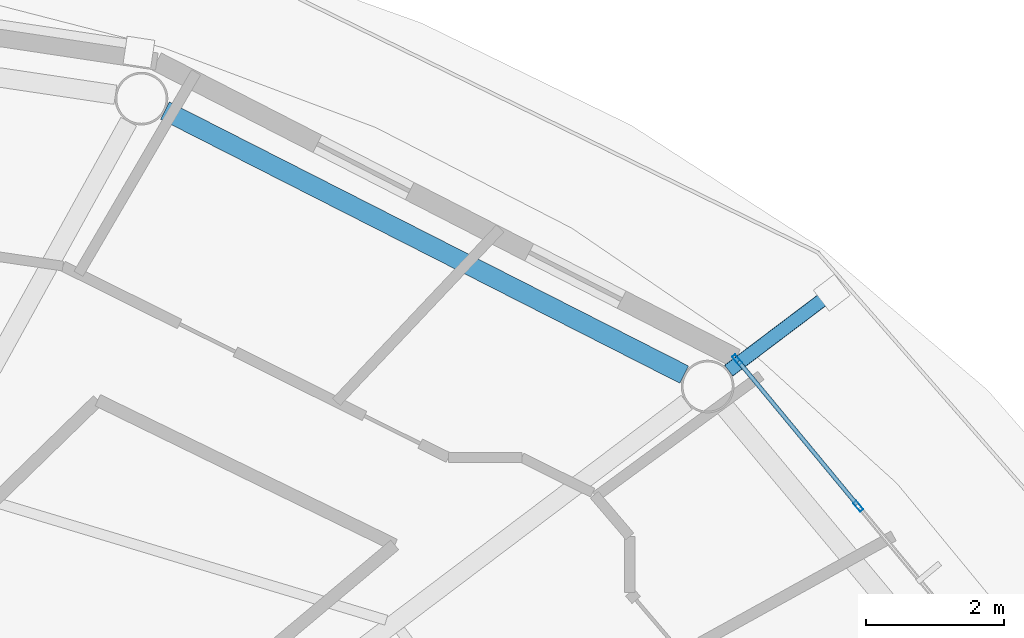
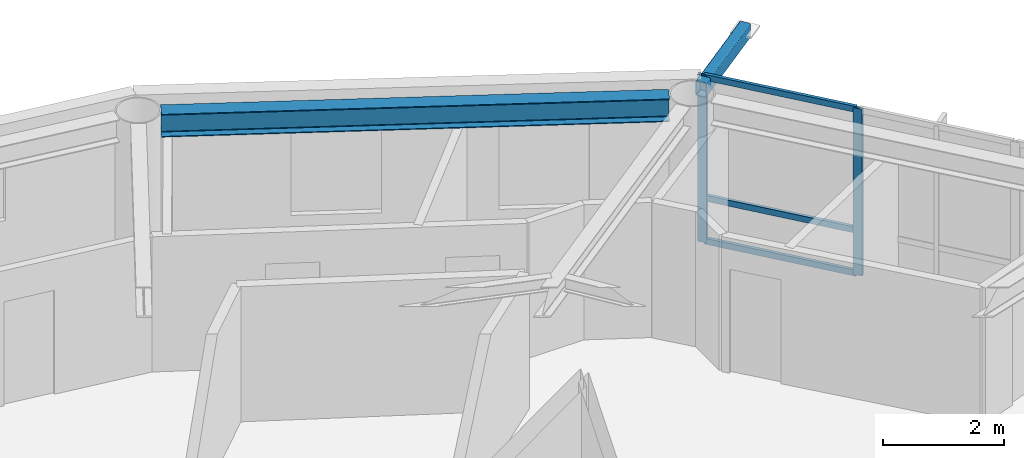
# One storey, part 11 of 23: 6 members, 1 beam, 1 element without a shape of its own.
"""IFC4 building model written with IfcOpenShell, lengths in metres."""

from ifc_helpers import new_model, si_unit, direction, frame, origin, origin_2d, place, context, subcontext, project, spatial, hollow_rectangle, i_section, extrude, material, layer, layer_set, material_profile, profile_set, type_object, element, aggregate, save


model = new_model("IFC4")

# Units and contexts
model_context = context("Model", 3, precision=1e-05, world=origin(), true_north=direction((0.0, 1.0)))
body_context = subcontext(model_context, "Body", "Model", "MODEL_VIEW")
ifc_project = project(units=[si_unit("LENGTHUNIT", "METRE"), si_unit("AREAUNIT", "SQUARE_METRE"), si_unit("VOLUMEUNIT", "CUBIC_METRE"), si_unit("PLANEANGLEUNIT", "RADIAN"), si_unit("MASSUNIT", "GRAM", prefix="KILO")], contexts=[model_context])

# Site, building, storey
site_placement = place(None, origin())
site = spatial("IfcSite", under=ifc_project, at=site_placement, CompositionType="ELEMENT")
building_placement = place(site_placement, origin())
building = spatial("IfcBuilding", under=site, at=building_placement, Name="Sarneth Arch Tower", CompositionType="ELEMENT")
storey_placement = place(building_placement, frame((0.0, 0.0, 280.199951171875)))
storey = spatial("IfcBuildingStorey", under=building, at=storey_placement, Name="L72", CompositionType="ELEMENT", Elevation=280.199951171875)

# Beam
ifc_material_1 = material(Name="Steel S355", Category="steel")
ifc_material_profile_1 = material_profile(ifc_material_1, i_section(OverallWidth=0.280029296875, OverallDepth=0.462890625, WebThickness=0.0107421875, FlangeThickness=0.017333984375, FilletRadius=0.01806640625, at=origin_2d()), Name="W460x113")
ifc_profile_set_1 = profile_set([ifc_material_profile_1], Name="Steel S355")
beam_type = type_object("IfcBeamType", Name="BM-RAD-460A", PredefinedType="BEAM", material=ifc_profile_set_1)
beam_placement = place(storey_placement, frame((65.635498046875, 55.749267578125, 3.138427734375), z_axis=(-0.891373613492, 0.453269325204, 0.0), x_axis=(-0.453269325204, -0.891373613492, 0.0)))
element("IfcBeam", 1, at=beam_placement, inside=storey, type_object=beam_type, Name="L72 Perimeter spandrel beam 03", PredefinedType="BEAM", context=body_context, shape_type="SweptSolid", body=[
    extrude(i_section(OverallWidth=0.280029296875, OverallDepth=0.462890625, WebThickness=0.0107421875, FlangeThickness=0.017333984375, FilletRadius=0.01806640625, at=origin_2d()), origin(), (0.0, 0.0, 1.0), 8.419677734375),
])

# Curtain wall, members
ifc_material_2 = material(Name="Anodised aluminium Type AA25 and solar-control low-e laminated IGU", Category="aluminium")
ifc_layer = layer(ifc_material_2, 0.179931640625)
ifc_layer_set = layer_set([ifc_layer], Name="Anodised aluminium Type AA25 and solar-control low-e laminated IGU")
curtain_wall_type = type_object("IfcCurtainWallType", Name="CW-RES-HIGH", PredefinedType="NOTDEFINED", material=ifc_layer_set)
curtain_wall_placement = place(storey_placement, origin())
curtain_wall = element("IfcCurtainWall", 2, at=curtain_wall_placement, inside=storey, type_object=curtain_wall_type, Name="L72 Unitised curtain wall facet 02", PredefinedType="NOTDEFINED")
ifc_material_3 = material(Name="Anodised Aluminium 6063-T6", Category="aluminium")
ifc_material_profile_2 = material_profile(ifc_material_3, hollow_rectangle(XDim=0.06005859375, YDim=0.159912109375, WallThickness=0.00390625, at=origin_2d()), Name="AL-MULL-160x60x4")
ifc_profile_set_2 = profile_set([ifc_material_profile_2], Name="Anodised Aluminium 6063-T6")
member_type_1 = type_object("IfcMemberType", Name="CW-MULLION", PredefinedType="MULLION", material=ifc_profile_set_2)
member_1_placement = place(storey_placement, frame((68.15283203125, 53.84765625, 0.0), z_axis=(0.0, 0.0, 1.0), x_axis=(-0.770359245933, -0.637610094184, 0.0)))
member_1 = element("IfcMember", 3, at=member_1_placement, type_object=member_type_1, Name="CW-SYS-6 mullion 3", PredefinedType="MULLION", context=body_context, shape_type="SweptSolid", body=[
    extrude(hollow_rectangle(XDim=0.06005859375, YDim=0.159912109375, WallThickness=0.00390625, at=origin_2d()), origin(), (0.0, 0.0, 1.0), 3.3701171875),
])
member_2_placement = place(storey_placement, frame((66.401611328125, 55.96337890625, 0.0), z_axis=(0.0, 0.0, 1.0), x_axis=(-0.770359245933, -0.637610094184, 0.0)))
member_2 = element("IfcMember", 4, at=member_2_placement, type_object=member_type_1, Name="CW-SYS-6 mullion 4", PredefinedType="MULLION", context=body_context, shape_type="SweptSolid", body=[
    extrude(hollow_rectangle(XDim=0.06005859375, YDim=0.159912109375, WallThickness=0.00390625, at=origin_2d()), origin(), (0.0, 0.0, 1.0), 3.3701171875),
])
ifc_material_4 = material(Name="Anodised Aluminium 6063-T6", Category="aluminium")
ifc_material_profile_3 = material_profile(ifc_material_4, hollow_rectangle(XDim=0.06005859375, YDim=0.1201171875, WallThickness=0.00390625, at=origin_2d()), Name="AL-TRAN-120x60x4")
ifc_profile_set_3 = profile_set([ifc_material_profile_3], Name="Anodised Aluminium 6063-T6")
member_type_2 = type_object("IfcMemberType", Name="CW-TRANSOM", PredefinedType="USERDEFINED", material=ifc_profile_set_3)
member_3_placement = place(storey_placement, frame((68.1337890625, 53.87060546875, 0.030029296875), z_axis=(-0.637606765719, 0.770362000821, 0.0), x_axis=(-0.770362000821, -0.637606765719, 0.0)))
member_3 = element("IfcMember", 5, at=member_3_placement, type_object=member_type_2, Name="CW-SYS-6 transom 3.1", ObjectType="TRANSOM", PredefinedType="USERDEFINED", context=body_context, shape_type="SweptSolid", body=[
    extrude(hollow_rectangle(XDim=0.06005859375, YDim=0.1201171875, WallThickness=0.00390625, at=origin_2d()), origin(), (0.0, 0.0, 1.0), 2.686767578125),
])
member_4_placement = place(storey_placement, frame((68.1337890625, 53.87060546875, 0.900146484375), z_axis=(-0.637606765719, 0.770362000821, 0.0), x_axis=(-0.770362000821, -0.637606765719, 0.0)))
member_4 = element("IfcMember", 6, at=member_4_placement, type_object=member_type_2, Name="CW-SYS-6 transom 3.2", ObjectType="TRANSOM", PredefinedType="USERDEFINED", context=body_context, shape_type="SweptSolid", body=[
    extrude(hollow_rectangle(XDim=0.06005859375, YDim=0.1201171875, WallThickness=0.00390625, at=origin_2d()), origin(), (0.0, 0.0, 1.0), 2.686767578125),
])
member_5_placement = place(storey_placement, frame((68.1337890625, 53.87060546875, 3.340087890625), z_axis=(-0.637606765719, 0.770362000821, 0.0), x_axis=(-0.770362000821, -0.637606765719, 0.0)))
member_5 = element("IfcMember", 7, at=member_5_placement, type_object=member_type_2, Name="CW-SYS-6 transom 3.3", ObjectType="TRANSOM", PredefinedType="USERDEFINED", context=body_context, shape_type="SweptSolid", body=[
    extrude(hollow_rectangle(XDim=0.06005859375, YDim=0.1201171875, WallThickness=0.00390625, at=origin_2d()), origin(), (0.0, 0.0, 1.0), 2.686767578125),
])
aggregate(curtain_wall, [member_1, member_2, member_3, member_4, member_5])

# Member
ifc_material_5 = material(Name="Steel S355", Category="steel")
ifc_material_profile_4 = material_profile(ifc_material_5, hollow_rectangle(XDim=0.199951171875, YDim=0.300048828125, WallThickness=0.012451171875, InnerFilletRadius=0.018798828125, OuterFilletRadius=0.03125, at=origin_2d()), Name="RHS300x200x12.5")
ifc_profile_set_4 = profile_set([ifc_material_profile_4], Name="Steel S355")
member_type_3 = type_object("IfcMemberType", Name="MEM-CANT-STRUT", PredefinedType="STRUT", material=ifc_profile_set_4)
member_6_placement = place(storey_placement, frame((66.279296875, 55.80615234375, 3.2099609375), z_axis=(0.797956711081, 0.602714764413, 0.0), x_axis=(-0.602714764413, 0.797956711081, 0.0)))
element("IfcMember", 8, at=member_6_placement, inside=storey, type_object=member_type_3, Name="L72 Balcony cantilever bracket 03", PredefinedType="STRUT", context=body_context, shape_type="SweptSolid", body=[
    extrude(hollow_rectangle(XDim=0.199951171875, YDim=0.300048828125, WallThickness=0.012451171875, InnerFilletRadius=0.018798828125, OuterFilletRadius=0.03125, at=origin_2d()), origin(), (0.0, 0.0, 1.0), 1.8681640625),
])

save(model, "model.ifc")
